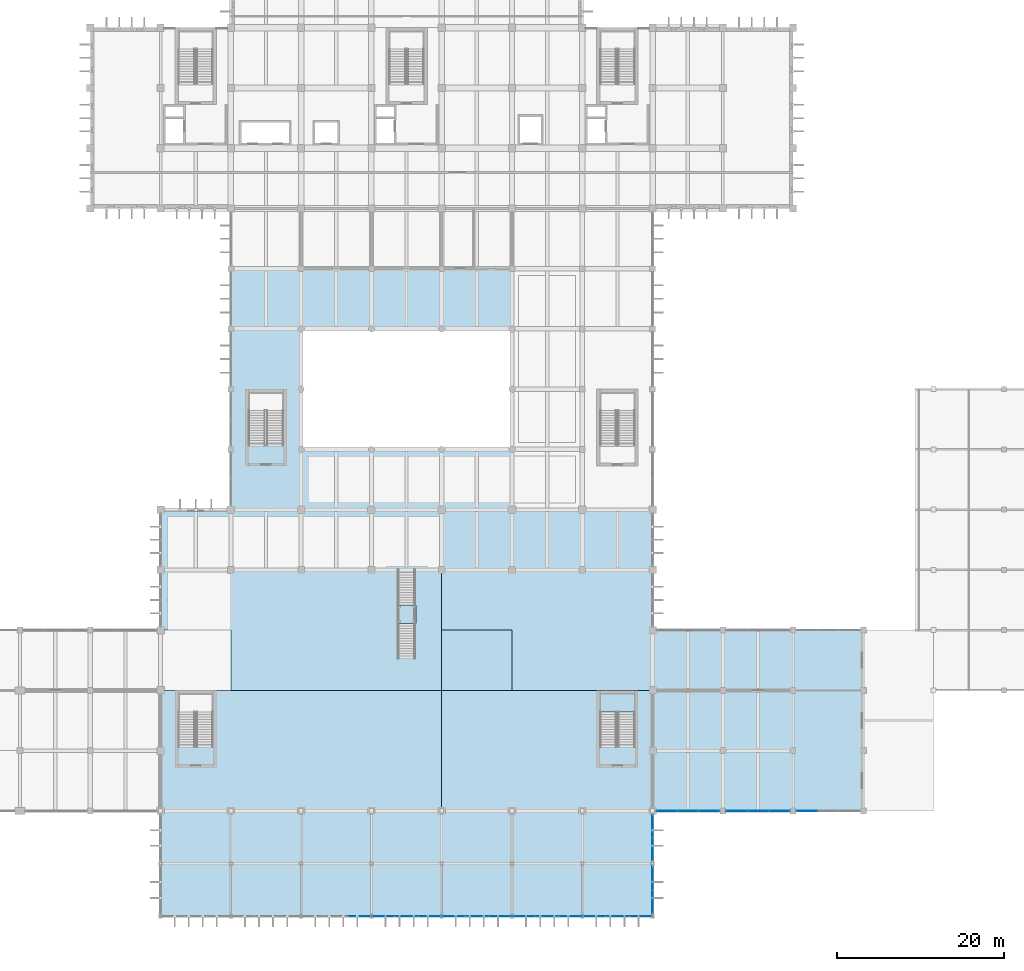
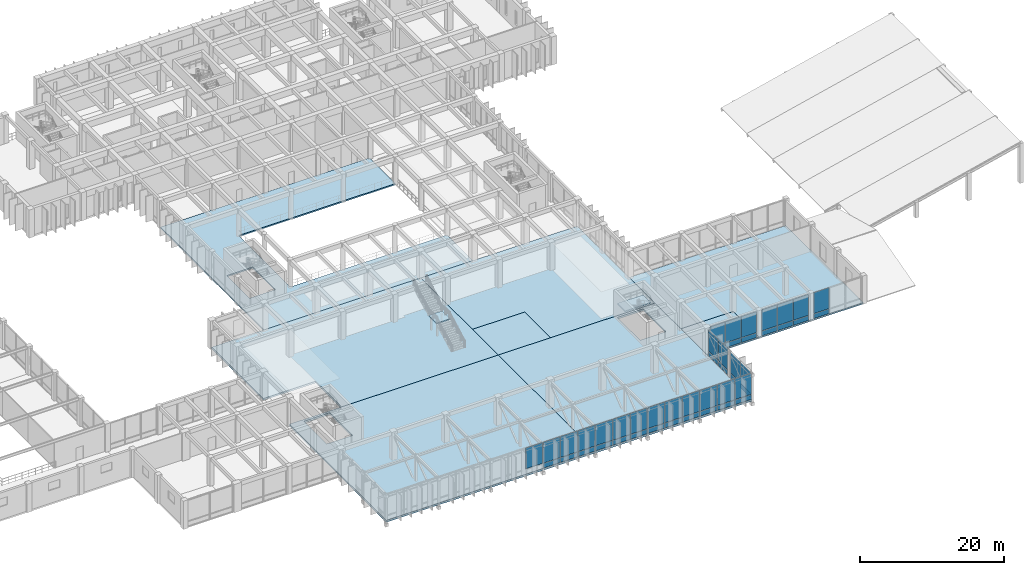
# One storey, part 28 of 51: 47 plates, 10 slabs, 12 elements without a shape of their own.
"""IFC4 building model written with IfcOpenShell, lengths in metres."""

from ifc_helpers import new_model, si_unit, direction, frame, origin, origin_2d, place, context, subcontext, project, spatial, polyline, rectangle, outline, extrude, material, layer, layer_set, type_object, element, aggregate, save


model = new_model("IFC4")

# Units and contexts
model_context = context("Model", 3, precision=1e-05, world=origin(), true_north=direction((0.0, 1.0)))
body_context = subcontext(model_context, "Body", "Model", "MODEL_VIEW")
ifc_project = project(units=[si_unit("LENGTHUNIT", "METRE"), si_unit("AREAUNIT", "SQUARE_METRE"), si_unit("VOLUMEUNIT", "CUBIC_METRE"), si_unit("PLANEANGLEUNIT", "RADIAN"), si_unit("MASSUNIT", "GRAM", prefix="KILO")], contexts=[model_context])

# Site, building, storey
site_placement = place(None, origin())
site = spatial("IfcSite", under=ifc_project, at=site_placement, CompositionType="ELEMENT")
building_placement = place(site_placement, origin())
building = spatial("IfcBuilding", under=site, at=building_placement, Name="Kenerak Square Central Library", CompositionType="ELEMENT")
storey_placement = place(building_placement, frame((0.0, 0.0, 9.60009765625)))
storey = spatial("IfcBuildingStorey", under=building, at=storey_placement, Name="L02", CompositionType="ELEMENT", Elevation=9.60009765625)

# Slabs
ifc_material_1 = material(Name="Concrete C40/50", Category="concrete")
ifc_layer_1 = layer(ifc_material_1, 0.300048828125)
ifc_layer_set_1 = layer_set([ifc_layer_1], Name="Concrete C40/50")
slab_type_1 = type_object("IfcSlabType", Name="Compact-Shelving Vault Slab FS-300 C40/50", PredefinedType="FLOOR", material=ifc_layer_set_1)
slab_1_placement = place(storey_placement, frame((0.0, 0.0, -0.300048828125)))
element("IfcSlab", 1, at=slab_1_placement, inside=storey, type_object=slab_type_1, Name="V1 Floor Slab L02 013", PredefinedType="FLOOR", context=body_context, shape_type="SweptSolid", body=[
    extrude(outline(polyline([(58.39990234375, 4.199951171875), (58.39990234375, 31.199951171875), (92.0, 31.199951171875), (92.0, 4.199951171875), (58.39990234375, 4.199951171875)]), holes=[polyline([(64.679931640625, 24.449951171875), (64.679931640625, 30.800048828125), (60.52001953125, 30.800048828125), (60.52001953125, 24.449951171875), (64.679931640625, 24.449951171875)])]), origin(), (0.0, 0.0, 1.0), 0.300048828125),
])
slab_2_placement = place(storey_placement, frame((0.0, 0.0, -0.300048828125)))
element("IfcSlab", 2, at=slab_2_placement, inside=storey, type_object=slab_type_1, Name="V1 Floor Slab L02 014", PredefinedType="FLOOR", context=body_context, shape_type="SweptSolid", body=[
    extrude(outline(polyline([(58.39990234375, 52.800048828125), (92.0, 52.800048828125), (92.0, 31.199951171875), (66.800048828125, 31.199951171875), (66.800048828125, 38.39990234375), (58.39990234375, 38.39990234375), (58.39990234375, 52.800048828125)])), origin(), (0.0, 0.0, 1.0), 0.300048828125),
])
slab_3_placement = place(storey_placement, frame((0.0, 0.0, -0.300048828125)))
element("IfcSlab", 3, at=slab_3_placement, inside=storey, type_object=slab_type_1, Name="V1 Floor Slab L02 016", PredefinedType="FLOOR", context=body_context, shape_type="SweptSolid", body=[
    extrude(outline(polyline([(92.0, 4.199951171875), (92.0, 31.199951171875), (117.199951171875, 31.199951171875), (117.199951171875, 4.199951171875), (92.0, 4.199951171875)]), holes=[polyline([(115.080078125, 24.449951171875), (115.080078125, 30.800048828125), (110.919921875, 30.800048828125), (110.919921875, 24.449951171875), (115.080078125, 24.449951171875)])]), origin(), (0.0, 0.0, 1.0), 0.300048828125),
])
slab_4_placement = place(storey_placement, frame((0.0, 0.0, -0.300048828125)))
element("IfcSlab", 4, at=slab_4_placement, inside=storey, type_object=slab_type_1, Name="V1 Floor Slab L02 017", PredefinedType="FLOOR", context=body_context, shape_type="SweptSolid", body=[
    extrude(outline(polyline([(92.0, 52.800048828125), (117.199951171875, 52.800048828125), (117.199951171875, 31.199951171875), (100.39990234375, 31.199951171875), (100.39990234375, 38.39990234375), (92.0, 38.39990234375), (92.0, 52.800048828125)])), origin(), (0.0, 0.0, 1.0), 0.300048828125),
])
slab_5_placement = place(storey_placement, frame((0.0, 0.0, -0.300048828125)))
element("IfcSlab", 5, at=slab_5_placement, inside=storey, type_object=slab_type_1, Name="V1 Floor Slab L02 018", PredefinedType="FLOOR", context=body_context, shape_type="SweptSolid", body=[
    extrude(outline(polyline([(100.39990234375, 31.199951171875), (100.39990234375, 38.39990234375), (92.0, 38.39990234375), (92.0, 31.199951171875), (100.39990234375, 31.199951171875)])), origin(), (0.0, 0.0, 1.0), 0.300048828125),
])
ifc_layer_2 = layer(ifc_material_1, 0.22509765625)
ifc_layer_set_2 = layer_set([ifc_layer_2], Name="Concrete C40/50")
slab_type_2 = type_object("IfcSlabType", Name="General Reading Room Slab FS-225 C40/50", PredefinedType="FLOOR", material=ifc_layer_set_2)
slab_6_placement = place(storey_placement, frame((0.0, 0.0, -0.22509765625)))
element("IfcSlab", 6, at=slab_6_placement, inside=storey, type_object=slab_type_2, Name="V4 Floor Slab L02 044", PredefinedType="FLOOR", context=body_context, shape_type="SweptSolid", body=[
    extrude(outline(polyline([(100.39990234375, 52.800048828125), (66.800048828125, 52.800048828125), (66.800048828125, 81.60009765625), (100.39990234375, 81.60009765625), (100.39990234375, 74.39990234375), (75.199951171875, 74.39990234375), (75.199951171875, 60.0), (100.39990234375, 60.0), (100.39990234375, 52.800048828125)]), holes=[polyline([(73.080078125, 60.449951171875), (73.080078125, 66.800048828125), (68.919921875, 66.800048828125), (68.919921875, 60.449951171875), (73.080078125, 60.449951171875)])]), origin(), (0.0, 0.0, 1.0), 0.22509765625),
])
slab_7_placement = place(storey_placement, frame((0.0, 0.0, -0.22509765625)))
element("IfcSlab", 7, at=slab_7_placement, inside=storey, type_object=slab_type_2, Name="V6 Floor Slab L02 107", PredefinedType="FLOOR", context=body_context, shape_type="SweptSolid", body=[
    extrude(outline(polyline([(117.199951171875, 38.39990234375), (142.39990234375, 38.39990234375), (142.39990234375, 16.800048828125), (125.60009765625, 16.800048828125), (125.60009765625, 24.0), (117.199951171875, 24.0), (117.199951171875, 38.39990234375)])), origin(), (0.0, 0.0, 1.0), 0.22509765625),
])
slab_8_placement = place(storey_placement, frame((0.0, 0.0, -0.22509765625)))
element("IfcSlab", 8, at=slab_8_placement, inside=storey, type_object=slab_type_2, Name="V6 Floor Slab L02 108", PredefinedType="FLOOR", context=body_context, shape_type="SweptSolid", body=[
    extrude(outline(polyline([(125.60009765625, 16.800048828125), (125.60009765625, 24.0), (117.199951171875, 24.0), (117.199951171875, 16.800048828125), (125.60009765625, 16.800048828125)])), origin(), (0.0, 0.0, 1.0), 0.22509765625),
])

# Curtain wall, plates
ifc_material_2 = material(Name="Anodised aluminium and solar-control low-E glazing", Category="aluminium")
curtain_wall_type_1 = type_object("IfcCurtainWallType", Name="Curtain Wall CW-V6-77x45 7700x4550", PredefinedType="USERDEFINED", material=ifc_material_2)
curtain_wall_1_placement = place(storey_placement, origin())
curtain_wall_1 = element("IfcCurtainWall", 9, at=curtain_wall_1_placement, inside=storey, type_object=curtain_wall_type_1, Name="Curtain Wall CW-V6-77x45 L02 0092", ObjectType="CURTAIN WALL", PredefinedType="USERDEFINED")
ifc_material_3 = material(Name="Solar-control low-E laminated double glazing", Category="glass")
ifc_layer_3 = layer(ifc_material_3, 0.02392578125)
ifc_layer_set_3 = layer_set([ifc_layer_3], Name="Solar-control low-E laminated double glazing")
plate_type_1 = type_object("IfcPlateType", Name="Low-E Double Glazed Curtain Panel CP-24", PredefinedType="CURTAIN_PANEL", material=ifc_layer_set_3)
plate_1_placement = place(storey_placement, frame((135.649658203125, 16.800048828125, 0.06494140625), z_axis=(0.0, 0.0, 1.0), x_axis=(-1.0, 0.0, 0.0)))
plate_1 = element("IfcPlate", 10, at=plate_1_placement, type_object=plate_type_1, Name="CW-V6-77x45 Panel 3.1", PredefinedType="CURTAIN_PANEL", context=body_context, shape_type="SweptSolid", body=[
    extrude(rectangle(XDim=2.46923828125, YDim=0.02392578125, at=origin_2d()), origin(), (0.0, 0.0, 1.0), 0.802490234375),
])
plate_2_placement = place(storey_placement, frame((135.649658203125, 16.800048828125, 0.9326171875), z_axis=(0.0, 0.0, 1.0), x_axis=(-1.0, 0.0, 0.0)))
plate_2 = element("IfcPlate", 11, at=plate_2_placement, type_object=plate_type_1, Name="CW-V6-77x45 Panel 3.2", PredefinedType="CURTAIN_PANEL", context=body_context, shape_type="SweptSolid", body=[
    extrude(rectangle(XDim=2.46923828125, YDim=0.02392578125, at=origin_2d()), origin(), (0.0, 0.0, 1.0), 3.552490234375),
])
aggregate(curtain_wall_1, [plate_1, plate_2])

curtain_wall_2_placement = place(storey_placement, origin())
curtain_wall_2 = element("IfcCurtainWall", 12, at=curtain_wall_2_placement, inside=storey, type_object=curtain_wall_type_1, Name="Curtain Wall CW-V6-77x45 L02 0093", ObjectType="CURTAIN WALL", PredefinedType="USERDEFINED")
plate_3_placement = place(storey_placement, frame((132.350341796875, 16.800048828125, 0.06494140625), z_axis=(0.0, 0.0, 1.0), x_axis=(-1.0, 0.0, 0.0)))
plate_3 = element("IfcPlate", 13, at=plate_3_placement, type_object=plate_type_1, Name="CW-V6-77x45 Panel 1.1", PredefinedType="CURTAIN_PANEL", context=body_context, shape_type="SweptSolid", body=[
    extrude(rectangle(XDim=2.46923828125, YDim=0.02392578125, at=origin_2d()), origin(), (0.0, 0.0, 1.0), 0.802490234375),
])
plate_4_placement = place(storey_placement, frame((132.350341796875, 16.800048828125, 0.9326171875), z_axis=(0.0, 0.0, 1.0), x_axis=(-1.0, 0.0, 0.0)))
plate_4 = element("IfcPlate", 14, at=plate_4_placement, type_object=plate_type_1, Name="CW-V6-77x45 Panel 1.2", PredefinedType="CURTAIN_PANEL", context=body_context, shape_type="SweptSolid", body=[
    extrude(rectangle(XDim=2.46923828125, YDim=0.02392578125, at=origin_2d()), origin(), (0.0, 0.0, 1.0), 3.552490234375),
])
plate_5_placement = place(storey_placement, frame((129.800048828125, 16.800048828125, 0.06494140625), z_axis=(0.0, 0.0, 1.0), x_axis=(-1.0, 0.0, 0.0)))
plate_5 = element("IfcPlate", 15, at=plate_5_placement, type_object=plate_type_1, Name="CW-V6-77x45 Panel 2.1", PredefinedType="CURTAIN_PANEL", context=body_context, shape_type="SweptSolid", body=[
    extrude(rectangle(XDim=2.501708984375, YDim=0.02392578125, at=origin_2d()), origin(), (0.0, 0.0, 1.0), 0.802490234375),
])
plate_6_placement = place(storey_placement, frame((129.800048828125, 16.800048828125, 0.9326171875), z_axis=(0.0, 0.0, 1.0), x_axis=(-1.0, 0.0, 0.0)))
plate_6 = element("IfcPlate", 16, at=plate_6_placement, type_object=plate_type_1, Name="CW-V6-77x45 Panel 2.2", PredefinedType="CURTAIN_PANEL", context=body_context, shape_type="SweptSolid", body=[
    extrude(rectangle(XDim=2.501708984375, YDim=0.02392578125, at=origin_2d()), origin(), (0.0, 0.0, 1.0), 3.552490234375),
])
plate_7_placement = place(storey_placement, frame((127.24951171875, 16.800048828125, 0.06494140625), z_axis=(0.0, 0.0, 1.0), x_axis=(-1.0, 0.0, 0.0)))
plate_7 = element("IfcPlate", 17, at=plate_7_placement, type_object=plate_type_1, Name="CW-V6-77x45 Panel 3.1", PredefinedType="CURTAIN_PANEL", context=body_context, shape_type="SweptSolid", body=[
    extrude(rectangle(XDim=2.46923828125, YDim=0.02392578125, at=origin_2d()), origin(), (0.0, 0.0, 1.0), 0.802490234375),
])
plate_8_placement = place(storey_placement, frame((127.24951171875, 16.800048828125, 0.9326171875), z_axis=(0.0, 0.0, 1.0), x_axis=(-1.0, 0.0, 0.0)))
plate_8 = element("IfcPlate", 18, at=plate_8_placement, type_object=plate_type_1, Name="CW-V6-77x45 Panel 3.2", PredefinedType="CURTAIN_PANEL", context=body_context, shape_type="SweptSolid", body=[
    extrude(rectangle(XDim=2.46923828125, YDim=0.02392578125, at=origin_2d()), origin(), (0.0, 0.0, 1.0), 3.552490234375),
])
aggregate(curtain_wall_2, [plate_3, plate_4, plate_5, plate_6, plate_7, plate_8])

curtain_wall_type_2 = type_object("IfcCurtainWallType", Name="Curtain Wall CW-V6-76x45 7600x4550", PredefinedType="USERDEFINED", material=ifc_material_2)
curtain_wall_3_placement = place(storey_placement, origin())
curtain_wall_3 = element("IfcCurtainWall", 19, at=curtain_wall_3_placement, inside=storey, type_object=curtain_wall_type_2, Name="Curtain Wall CW-V6-76x45 L02 0094", ObjectType="CURTAIN WALL", PredefinedType="USERDEFINED")
plate_9_placement = place(storey_placement, frame((123.967041015625, 16.800048828125, 0.06494140625), z_axis=(0.0, 0.0, 1.0), x_axis=(-1.0, 0.0, 0.0)))
plate_9 = element("IfcPlate", 20, at=plate_9_placement, type_object=plate_type_1, Name="CW-V6-76x45 Panel 1.1", PredefinedType="CURTAIN_PANEL", context=body_context, shape_type="SweptSolid", body=[
    extrude(rectangle(XDim=2.435791015625, YDim=0.02392578125, at=origin_2d()), origin(), (0.0, 0.0, 1.0), 0.802490234375),
])
plate_10_placement = place(storey_placement, frame((123.967041015625, 16.800048828125, 0.9326171875), z_axis=(0.0, 0.0, 1.0), x_axis=(-1.0, 0.0, 0.0)))
plate_10 = element("IfcPlate", 21, at=plate_10_placement, type_object=plate_type_1, Name="CW-V6-76x45 Panel 1.2", PredefinedType="CURTAIN_PANEL", context=body_context, shape_type="SweptSolid", body=[
    extrude(rectangle(XDim=2.435791015625, YDim=0.02392578125, at=origin_2d()), origin(), (0.0, 0.0, 1.0), 3.552490234375),
])
plate_11_placement = place(storey_placement, frame((121.449951171875, 16.800048828125, 0.06494140625), z_axis=(0.0, 0.0, 1.0), x_axis=(-1.0, 0.0, 0.0)))
plate_11 = element("IfcPlate", 22, at=plate_11_placement, type_object=plate_type_1, Name="CW-V6-76x45 Panel 2.1", PredefinedType="CURTAIN_PANEL", context=body_context, shape_type="SweptSolid", body=[
    extrude(rectangle(XDim=2.46826171875, YDim=0.02392578125, at=origin_2d()), origin(), (0.0, 0.0, 1.0), 0.802490234375),
])
plate_12_placement = place(storey_placement, frame((121.449951171875, 16.800048828125, 0.9326171875), z_axis=(0.0, 0.0, 1.0), x_axis=(-1.0, 0.0, 0.0)))
plate_12 = element("IfcPlate", 23, at=plate_12_placement, type_object=plate_type_1, Name="CW-V6-76x45 Panel 2.2", PredefinedType="CURTAIN_PANEL", context=body_context, shape_type="SweptSolid", body=[
    extrude(rectangle(XDim=2.46826171875, YDim=0.02392578125, at=origin_2d()), origin(), (0.0, 0.0, 1.0), 3.552490234375),
])
plate_13_placement = place(storey_placement, frame((118.932861328125, 16.800048828125, 0.06494140625), z_axis=(0.0, 0.0, 1.0), x_axis=(-1.0, 0.0, 0.0)))
plate_13 = element("IfcPlate", 24, at=plate_13_placement, type_object=plate_type_1, Name="CW-V6-76x45 Panel 3.1", PredefinedType="CURTAIN_PANEL", context=body_context, shape_type="SweptSolid", body=[
    extrude(rectangle(XDim=2.435791015625, YDim=0.02392578125, at=origin_2d()), origin(), (0.0, 0.0, 1.0), 0.802490234375),
])
plate_14_placement = place(storey_placement, frame((118.932861328125, 16.800048828125, 0.9326171875), z_axis=(0.0, 0.0, 1.0), x_axis=(-1.0, 0.0, 0.0)))
plate_14 = element("IfcPlate", 25, at=plate_14_placement, type_object=plate_type_1, Name="CW-V6-76x45 Panel 3.2", PredefinedType="CURTAIN_PANEL", context=body_context, shape_type="SweptSolid", body=[
    extrude(rectangle(XDim=2.435791015625, YDim=0.02392578125, at=origin_2d()), origin(), (0.0, 0.0, 1.0), 3.552490234375),
])
aggregate(curtain_wall_3, [plate_9, plate_10, plate_11, plate_12, plate_13, plate_14])

# Stair, slab
stair_type_1 = type_object("IfcStairType", Name="Exit Dogleg Stair ST-480 C40/50", PredefinedType="HALF_TURN_STAIR", material=ifc_material_1)
stair_1_placement = place(storey_placement, origin())
stair_1 = element("IfcStair", 26, at=stair_1_placement, inside=storey, type_object=stair_type_1, Name="L02 Protected Exit Stair ST-05", PredefinedType="HALF_TURN_STAIR")
ifc_layer_4 = layer(ifc_material_1, 0.199951171875)
ifc_layer_set_4 = layer_set([ifc_layer_4], Name="Concrete C40/50")
slab_type_3 = type_object("IfcSlabType", Name="Stair Half-Landing Slab LD-200 C40/50", PredefinedType="LANDING", material=ifc_layer_set_4)
slab_9_placement = place(storey_placement, frame((0.0, 0.0, 2.199951171875)))
slab_9 = element("IfcSlab", 27, at=slab_9_placement, type_object=slab_type_3, Name="ST-05 Landing 1", PredefinedType="LANDING", context=body_context, shape_type="SweptSolid", body=[
    extrude(outline(polyline([(115.080078125, 28.64990234375), (115.080078125, 30.800048828125), (110.919921875, 30.800048828125), (110.919921875, 28.64990234375), (115.080078125, 28.64990234375)])), origin(), (0.0, 0.0, 1.0), 0.199951171875),
])
aggregate(stair_1, [slab_9])

ifc_material_4 = material(Name="Steel S355", Category="steel")
stair_type_2 = type_object("IfcStairType", Name="Feature Atrium Stair ST-FEAT S355", PredefinedType="STRAIGHT_RUN_STAIR", material=ifc_material_4)
stair_2_placement = place(storey_placement, origin())
stair_2 = element("IfcStair", 28, at=stair_2_placement, inside=storey, type_object=stair_type_2, Name="Feature Open Stair ST-F2", PredefinedType="STRAIGHT_RUN_STAIR")
slab_10_placement = place(storey_placement, frame((0.0, 0.0, 2.199951171875)))
slab_10 = element("IfcSlab", 29, at=slab_10_placement, type_object=slab_type_3, Name="ST-F2 Landing 1", PredefinedType="LANDING", context=body_context, shape_type="SweptSolid", body=[
    extrude(outline(polyline([(86.699951171875, 39.199951171875), (88.89990234375, 39.199951171875), (88.89990234375, 41.39990234375), (86.699951171875, 41.39990234375), (86.699951171875, 39.199951171875)])), origin(), (0.0, 0.0, 1.0), 0.199951171875),
])
aggregate(stair_2, [slab_10])

# Curtain wall, plates
curtain_wall_type_3 = type_object("IfcCurtainWallType", Name="Curtain Wall CW-V1-55x45 5550x4550", PredefinedType="USERDEFINED", material=ifc_material_2)
curtain_wall_4_placement = place(storey_placement, origin())
curtain_wall_4 = element("IfcCurtainWall", 30, at=curtain_wall_4_placement, inside=storey, type_object=curtain_wall_type_3, Name="Curtain Wall CW-V1-55x45 L02 0095", ObjectType="CURTAIN WALL", PredefinedType="USERDEFINED")
ifc_material_5 = material(Name="Triple-laminated solar-control low-E glazing", Category="glass")
ifc_layer_5 = layer(ifc_material_5, 0.031982421875)
ifc_layer_set_5 = layer_set([ifc_layer_5], Name="Triple-laminated solar-control low-E glazing")
plate_type_2 = type_object("IfcPlateType", Name="Triple-Laminated Reading Hall Panel CP-32", PredefinedType="CURTAIN_PANEL", material=ifc_layer_set_5)
plate_15_placement = place(storey_placement, frame((117.199951171875, 14.94384765625, 0.074951171875), z_axis=(0.0, 0.0, 1.0), x_axis=(0.0, -1.0, 0.0)))
plate_15 = element("IfcPlate", 31, at=plate_15_placement, type_object=plate_type_2, Name="CW-V1-55x45 Panel 1.1", PredefinedType="CURTAIN_PANEL", context=body_context, shape_type="SweptSolid", body=[
    extrude(rectangle(XDim=2.66259765625, YDim=0.031982421875, at=origin_2d()), origin(), (0.0, 0.0, 1.0), 0.78759765625),
])
plate_16_placement = place(storey_placement, frame((117.199951171875, 14.94384765625, 0.937255859375), z_axis=(0.0, 0.0, 1.0), x_axis=(0.0, -1.0, 0.0)))
plate_16 = element("IfcPlate", 32, at=plate_16_placement, type_object=plate_type_2, Name="CW-V1-55x45 Panel 1.2", PredefinedType="CURTAIN_PANEL", context=body_context, shape_type="SweptSolid", body=[
    extrude(rectangle(XDim=2.66259765625, YDim=0.031982421875, at=origin_2d()), origin(), (0.0, 0.0, 1.0), 3.53759765625),
])
plate_17_placement = place(storey_placement, frame((117.199951171875, 12.206298828125, 0.074951171875), z_axis=(0.0, 0.0, 1.0), x_axis=(0.0, -1.0, 0.0)))
plate_17 = element("IfcPlate", 33, at=plate_17_placement, type_object=plate_type_2, Name="CW-V1-55x45 Panel 2.1", PredefinedType="CURTAIN_PANEL", context=body_context, shape_type="SweptSolid", body=[
    extrude(rectangle(XDim=2.66259765625, YDim=0.031982421875, at=origin_2d()), origin(), (0.0, 0.0, 1.0), 0.78759765625),
])
plate_18_placement = place(storey_placement, frame((117.199951171875, 12.206298828125, 0.937255859375), z_axis=(0.0, 0.0, 1.0), x_axis=(0.0, -1.0, 0.0)))
plate_18 = element("IfcPlate", 34, at=plate_18_placement, type_object=plate_type_2, Name="CW-V1-55x45 Panel 2.2", PredefinedType="CURTAIN_PANEL", context=body_context, shape_type="SweptSolid", body=[
    extrude(rectangle(XDim=2.66259765625, YDim=0.031982421875, at=origin_2d()), origin(), (0.0, 0.0, 1.0), 3.53759765625),
])
aggregate(curtain_wall_4, [plate_15, plate_16, plate_17, plate_18])

curtain_wall_type_4 = type_object("IfcCurtainWallType", Name="Curtain Wall CW-V1-57x45 5700x4550", PredefinedType="USERDEFINED", material=ifc_material_2)
curtain_wall_5_placement = place(storey_placement, origin())
curtain_wall_5 = element("IfcCurtainWall", 35, at=curtain_wall_5_placement, inside=storey, type_object=curtain_wall_type_4, Name="Curtain Wall CW-V1-57x45 L02 0096", ObjectType="CURTAIN WALL", PredefinedType="USERDEFINED")
plate_19_placement = place(storey_placement, frame((117.199951171875, 8.75634765625, 0.074951171875), z_axis=(0.0, 0.0, 1.0), x_axis=(0.0, -1.0, 0.0)))
plate_19 = element("IfcPlate", 36, at=plate_19_placement, type_object=plate_type_2, Name="CW-V1-57x45 Panel 1.1", PredefinedType="CURTAIN_PANEL", context=body_context, shape_type="SweptSolid", body=[
    extrude(rectangle(XDim=2.737548828125, YDim=0.031982421875, at=origin_2d()), origin(), (0.0, 0.0, 1.0), 0.78759765625),
])
plate_20_placement = place(storey_placement, frame((117.199951171875, 8.75634765625, 0.937255859375), z_axis=(0.0, 0.0, 1.0), x_axis=(0.0, -1.0, 0.0)))
plate_20 = element("IfcPlate", 37, at=plate_20_placement, type_object=plate_type_2, Name="CW-V1-57x45 Panel 1.2", PredefinedType="CURTAIN_PANEL", context=body_context, shape_type="SweptSolid", body=[
    extrude(rectangle(XDim=2.737548828125, YDim=0.031982421875, at=origin_2d()), origin(), (0.0, 0.0, 1.0), 3.53759765625),
])
plate_21_placement = place(storey_placement, frame((117.199951171875, 5.94384765625, 0.074951171875), z_axis=(0.0, 0.0, 1.0), x_axis=(0.0, -1.0, 0.0)))
plate_21 = element("IfcPlate", 38, at=plate_21_placement, type_object=plate_type_2, Name="CW-V1-57x45 Panel 2.1", PredefinedType="CURTAIN_PANEL", context=body_context, shape_type="SweptSolid", body=[
    extrude(rectangle(XDim=2.737548828125, YDim=0.031982421875, at=origin_2d()), origin(), (0.0, 0.0, 1.0), 0.78759765625),
])
plate_22_placement = place(storey_placement, frame((117.199951171875, 5.94384765625, 0.937255859375), z_axis=(0.0, 0.0, 1.0), x_axis=(0.0, -1.0, 0.0)))
plate_22 = element("IfcPlate", 39, at=plate_22_placement, type_object=plate_type_2, Name="CW-V1-57x45 Panel 2.2", PredefinedType="CURTAIN_PANEL", context=body_context, shape_type="SweptSolid", body=[
    extrude(rectangle(XDim=2.737548828125, YDim=0.031982421875, at=origin_2d()), origin(), (0.0, 0.0, 1.0), 3.53759765625),
])
aggregate(curtain_wall_5, [plate_19, plate_20, plate_21, plate_22])

curtain_wall_type_5 = type_object("IfcCurtainWallType", Name="Curtain Wall CW-V1-84x45 8400x4550", PredefinedType="USERDEFINED", material=ifc_material_2)
curtain_wall_6_placement = place(storey_placement, origin())
curtain_wall_6 = element("IfcCurtainWall", 40, at=curtain_wall_6_placement, inside=storey, type_object=curtain_wall_type_5, Name="Curtain Wall CW-V1-84x45 L02 0097", ObjectType="CURTAIN WALL", PredefinedType="USERDEFINED")
plate_23_placement = place(storey_placement, frame((115.78125, 4.199951171875, 0.074951171875), z_axis=(0.0, 0.0, 1.0), x_axis=(-1.0, 0.0, 0.0)))
plate_23 = element("IfcPlate", 41, at=plate_23_placement, type_object=plate_type_2, Name="CW-V1-84x45 Panel 1.1", PredefinedType="CURTAIN_PANEL", context=body_context, shape_type="SweptSolid", body=[
    extrude(rectangle(XDim=2.6875, YDim=0.031982421875, at=origin_2d()), origin(), (0.0, 0.0, 1.0), 0.78759765625),
])
plate_24_placement = place(storey_placement, frame((115.78125, 4.199951171875, 0.937255859375), z_axis=(0.0, 0.0, 1.0), x_axis=(-1.0, 0.0, 0.0)))
plate_24 = element("IfcPlate", 42, at=plate_24_placement, type_object=plate_type_2, Name="CW-V1-84x45 Panel 1.2", PredefinedType="CURTAIN_PANEL", context=body_context, shape_type="SweptSolid", body=[
    extrude(rectangle(XDim=2.6875, YDim=0.031982421875, at=origin_2d()), origin(), (0.0, 0.0, 1.0), 3.53759765625),
])
plate_25_placement = place(storey_placement, frame((113.0, 4.199951171875, 0.074951171875), z_axis=(0.0, 0.0, 1.0), x_axis=(-1.0, 0.0, 0.0)))
plate_25 = element("IfcPlate", 43, at=plate_25_placement, type_object=plate_type_2, Name="CW-V1-84x45 Panel 2.1", PredefinedType="CURTAIN_PANEL", context=body_context, shape_type="SweptSolid", body=[
    extrude(rectangle(XDim=2.72509765625, YDim=0.031982421875, at=origin_2d()), origin(), (0.0, 0.0, 1.0), 0.78759765625),
])
plate_26_placement = place(storey_placement, frame((113.0, 4.199951171875, 0.937255859375), z_axis=(0.0, 0.0, 1.0), x_axis=(-1.0, 0.0, 0.0)))
plate_26 = element("IfcPlate", 44, at=plate_26_placement, type_object=plate_type_2, Name="CW-V1-84x45 Panel 2.2", PredefinedType="CURTAIN_PANEL", context=body_context, shape_type="SweptSolid", body=[
    extrude(rectangle(XDim=2.72509765625, YDim=0.031982421875, at=origin_2d()), origin(), (0.0, 0.0, 1.0), 3.53759765625),
])
plate_27_placement = place(storey_placement, frame((110.21875, 4.199951171875, 0.074951171875), z_axis=(0.0, 0.0, 1.0), x_axis=(-1.0, 0.0, 0.0)))
plate_27 = element("IfcPlate", 45, at=plate_27_placement, type_object=plate_type_2, Name="CW-V1-84x45 Panel 3.1", PredefinedType="CURTAIN_PANEL", context=body_context, shape_type="SweptSolid", body=[
    extrude(rectangle(XDim=2.6875, YDim=0.031982421875, at=origin_2d()), origin(), (0.0, 0.0, 1.0), 0.78759765625),
])
plate_28_placement = place(storey_placement, frame((110.21875, 4.199951171875, 0.937255859375), z_axis=(0.0, 0.0, 1.0), x_axis=(-1.0, 0.0, 0.0)))
plate_28 = element("IfcPlate", 46, at=plate_28_placement, type_object=plate_type_2, Name="CW-V1-84x45 Panel 3.2", PredefinedType="CURTAIN_PANEL", context=body_context, shape_type="SweptSolid", body=[
    extrude(rectangle(XDim=2.6875, YDim=0.031982421875, at=origin_2d()), origin(), (0.0, 0.0, 1.0), 3.53759765625),
])
aggregate(curtain_wall_6, [plate_23, plate_24, plate_25, plate_26, plate_27, plate_28])

curtain_wall_7_placement = place(storey_placement, origin())
curtain_wall_7 = element("IfcCurtainWall", 47, at=curtain_wall_7_placement, inside=storey, type_object=curtain_wall_type_5, Name="Curtain Wall CW-V1-84x45 L02 0098", ObjectType="CURTAIN WALL", PredefinedType="USERDEFINED")
plate_29_placement = place(storey_placement, frame((107.38134765625, 4.199951171875, 0.074951171875), z_axis=(0.0, 0.0, 1.0), x_axis=(-1.0, 0.0, 0.0)))
plate_29 = element("IfcPlate", 48, at=plate_29_placement, type_object=plate_type_2, Name="CW-V1-84x45 Panel 1.1", PredefinedType="CURTAIN_PANEL", context=body_context, shape_type="SweptSolid", body=[
    extrude(rectangle(XDim=2.6875, YDim=0.031982421875, at=origin_2d()), origin(), (0.0, 0.0, 1.0), 0.78759765625),
])
plate_30_placement = place(storey_placement, frame((107.38134765625, 4.199951171875, 0.937255859375), z_axis=(0.0, 0.0, 1.0), x_axis=(-1.0, 0.0, 0.0)))
plate_30 = element("IfcPlate", 49, at=plate_30_placement, type_object=plate_type_2, Name="CW-V1-84x45 Panel 1.2", PredefinedType="CURTAIN_PANEL", context=body_context, shape_type="SweptSolid", body=[
    extrude(rectangle(XDim=2.6875, YDim=0.031982421875, at=origin_2d()), origin(), (0.0, 0.0, 1.0), 3.53759765625),
])
plate_31_placement = place(storey_placement, frame((104.60009765625, 4.199951171875, 0.074951171875), z_axis=(0.0, 0.0, 1.0), x_axis=(-1.0, 0.0, 0.0)))
plate_31 = element("IfcPlate", 50, at=plate_31_placement, type_object=plate_type_2, Name="CW-V1-84x45 Panel 2.1", PredefinedType="CURTAIN_PANEL", context=body_context, shape_type="SweptSolid", body=[
    extrude(rectangle(XDim=2.72509765625, YDim=0.031982421875, at=origin_2d()), origin(), (0.0, 0.0, 1.0), 0.78759765625),
])
plate_32_placement = place(storey_placement, frame((104.60009765625, 4.199951171875, 0.937255859375), z_axis=(0.0, 0.0, 1.0), x_axis=(-1.0, 0.0, 0.0)))
plate_32 = element("IfcPlate", 51, at=plate_32_placement, type_object=plate_type_2, Name="CW-V1-84x45 Panel 2.2", PredefinedType="CURTAIN_PANEL", context=body_context, shape_type="SweptSolid", body=[
    extrude(rectangle(XDim=2.72509765625, YDim=0.031982421875, at=origin_2d()), origin(), (0.0, 0.0, 1.0), 3.53759765625),
])
plate_33_placement = place(storey_placement, frame((101.81884765625, 4.199951171875, 0.074951171875), z_axis=(0.0, 0.0, 1.0), x_axis=(-1.0, 0.0, 0.0)))
plate_33 = element("IfcPlate", 52, at=plate_33_placement, type_object=plate_type_2, Name="CW-V1-84x45 Panel 3.1", PredefinedType="CURTAIN_PANEL", context=body_context, shape_type="SweptSolid", body=[
    extrude(rectangle(XDim=2.6875, YDim=0.031982421875, at=origin_2d()), origin(), (0.0, 0.0, 1.0), 0.78759765625),
])
plate_34_placement = place(storey_placement, frame((101.81884765625, 4.199951171875, 0.937255859375), z_axis=(0.0, 0.0, 1.0), x_axis=(-1.0, 0.0, 0.0)))
plate_34 = element("IfcPlate", 53, at=plate_34_placement, type_object=plate_type_2, Name="CW-V1-84x45 Panel 3.2", PredefinedType="CURTAIN_PANEL", context=body_context, shape_type="SweptSolid", body=[
    extrude(rectangle(XDim=2.6875, YDim=0.031982421875, at=origin_2d()), origin(), (0.0, 0.0, 1.0), 3.53759765625),
])
aggregate(curtain_wall_7, [plate_29, plate_30, plate_31, plate_32, plate_33, plate_34])

curtain_wall_8_placement = place(storey_placement, origin())
curtain_wall_8 = element("IfcCurtainWall", 54, at=curtain_wall_8_placement, inside=storey, type_object=curtain_wall_type_5, Name="Curtain Wall CW-V1-84x45 L02 0099", ObjectType="CURTAIN WALL", PredefinedType="USERDEFINED")
plate_35_placement = place(storey_placement, frame((98.981201171875, 4.199951171875, 0.074951171875), z_axis=(0.0, 0.0, 1.0), x_axis=(-1.0, 0.0, 0.0)))
plate_35 = element("IfcPlate", 55, at=plate_35_placement, type_object=plate_type_2, Name="CW-V1-84x45 Panel 1.1", PredefinedType="CURTAIN_PANEL", context=body_context, shape_type="SweptSolid", body=[
    extrude(rectangle(XDim=2.6875, YDim=0.031982421875, at=origin_2d()), origin(), (0.0, 0.0, 1.0), 0.78759765625),
])
plate_36_placement = place(storey_placement, frame((98.981201171875, 4.199951171875, 0.937255859375), z_axis=(0.0, 0.0, 1.0), x_axis=(-1.0, 0.0, 0.0)))
plate_36 = element("IfcPlate", 56, at=plate_36_placement, type_object=plate_type_2, Name="CW-V1-84x45 Panel 1.2", PredefinedType="CURTAIN_PANEL", context=body_context, shape_type="SweptSolid", body=[
    extrude(rectangle(XDim=2.6875, YDim=0.031982421875, at=origin_2d()), origin(), (0.0, 0.0, 1.0), 3.53759765625),
])
plate_37_placement = place(storey_placement, frame((96.199951171875, 4.199951171875, 0.074951171875), z_axis=(0.0, 0.0, 1.0), x_axis=(-1.0, 0.0, 0.0)))
plate_37 = element("IfcPlate", 57, at=plate_37_placement, type_object=plate_type_2, Name="CW-V1-84x45 Panel 2.1", PredefinedType="CURTAIN_PANEL", context=body_context, shape_type="SweptSolid", body=[
    extrude(rectangle(XDim=2.72509765625, YDim=0.031982421875, at=origin_2d()), origin(), (0.0, 0.0, 1.0), 0.78759765625),
])
plate_38_placement = place(storey_placement, frame((96.199951171875, 4.199951171875, 0.937255859375), z_axis=(0.0, 0.0, 1.0), x_axis=(-1.0, 0.0, 0.0)))
plate_38 = element("IfcPlate", 58, at=plate_38_placement, type_object=plate_type_2, Name="CW-V1-84x45 Panel 2.2", PredefinedType="CURTAIN_PANEL", context=body_context, shape_type="SweptSolid", body=[
    extrude(rectangle(XDim=2.72509765625, YDim=0.031982421875, at=origin_2d()), origin(), (0.0, 0.0, 1.0), 3.53759765625),
])
plate_39_placement = place(storey_placement, frame((93.418701171875, 4.199951171875, 0.074951171875), z_axis=(0.0, 0.0, 1.0), x_axis=(-1.0, 0.0, 0.0)))
plate_39 = element("IfcPlate", 59, at=plate_39_placement, type_object=plate_type_2, Name="CW-V1-84x45 Panel 3.1", PredefinedType="CURTAIN_PANEL", context=body_context, shape_type="SweptSolid", body=[
    extrude(rectangle(XDim=2.6875, YDim=0.031982421875, at=origin_2d()), origin(), (0.0, 0.0, 1.0), 0.78759765625),
])
plate_40_placement = place(storey_placement, frame((93.418701171875, 4.199951171875, 0.937255859375), z_axis=(0.0, 0.0, 1.0), x_axis=(-1.0, 0.0, 0.0)))
plate_40 = element("IfcPlate", 60, at=plate_40_placement, type_object=plate_type_2, Name="CW-V1-84x45 Panel 3.2", PredefinedType="CURTAIN_PANEL", context=body_context, shape_type="SweptSolid", body=[
    extrude(rectangle(XDim=2.6875, YDim=0.031982421875, at=origin_2d()), origin(), (0.0, 0.0, 1.0), 3.53759765625),
])
aggregate(curtain_wall_8, [plate_35, plate_36, plate_37, plate_38, plate_39, plate_40])

curtain_wall_9_placement = place(storey_placement, origin())
curtain_wall_9 = element("IfcCurtainWall", 61, at=curtain_wall_9_placement, inside=storey, type_object=curtain_wall_type_5, Name="Curtain Wall CW-V1-84x45 L02 0100", ObjectType="CURTAIN WALL", PredefinedType="USERDEFINED")
plate_41_placement = place(storey_placement, frame((90.581298828125, 4.199951171875, 0.074951171875), z_axis=(0.0, 0.0, 1.0), x_axis=(-1.0, 0.0, 0.0)))
plate_41 = element("IfcPlate", 62, at=plate_41_placement, type_object=plate_type_2, Name="CW-V1-84x45 Panel 1.1", PredefinedType="CURTAIN_PANEL", context=body_context, shape_type="SweptSolid", body=[
    extrude(rectangle(XDim=2.6875, YDim=0.031982421875, at=origin_2d()), origin(), (0.0, 0.0, 1.0), 0.78759765625),
])
plate_42_placement = place(storey_placement, frame((90.581298828125, 4.199951171875, 0.937255859375), z_axis=(0.0, 0.0, 1.0), x_axis=(-1.0, 0.0, 0.0)))
plate_42 = element("IfcPlate", 63, at=plate_42_placement, type_object=plate_type_2, Name="CW-V1-84x45 Panel 1.2", PredefinedType="CURTAIN_PANEL", context=body_context, shape_type="SweptSolid", body=[
    extrude(rectangle(XDim=2.6875, YDim=0.031982421875, at=origin_2d()), origin(), (0.0, 0.0, 1.0), 3.53759765625),
])
plate_43_placement = place(storey_placement, frame((87.800048828125, 4.199951171875, 0.074951171875), z_axis=(0.0, 0.0, 1.0), x_axis=(-1.0, 0.0, 0.0)))
plate_43 = element("IfcPlate", 64, at=plate_43_placement, type_object=plate_type_2, Name="CW-V1-84x45 Panel 2.1", PredefinedType="CURTAIN_PANEL", context=body_context, shape_type="SweptSolid", body=[
    extrude(rectangle(XDim=2.72509765625, YDim=0.031982421875, at=origin_2d()), origin(), (0.0, 0.0, 1.0), 0.78759765625),
])
plate_44_placement = place(storey_placement, frame((87.800048828125, 4.199951171875, 0.937255859375), z_axis=(0.0, 0.0, 1.0), x_axis=(-1.0, 0.0, 0.0)))
plate_44 = element("IfcPlate", 65, at=plate_44_placement, type_object=plate_type_2, Name="CW-V1-84x45 Panel 2.2", PredefinedType="CURTAIN_PANEL", context=body_context, shape_type="SweptSolid", body=[
    extrude(rectangle(XDim=2.72509765625, YDim=0.031982421875, at=origin_2d()), origin(), (0.0, 0.0, 1.0), 3.53759765625),
])
plate_45_placement = place(storey_placement, frame((85.018798828125, 4.199951171875, 0.074951171875), z_axis=(0.0, 0.0, 1.0), x_axis=(-1.0, 0.0, 0.0)))
plate_45 = element("IfcPlate", 66, at=plate_45_placement, type_object=plate_type_2, Name="CW-V1-84x45 Panel 3.1", PredefinedType="CURTAIN_PANEL", context=body_context, shape_type="SweptSolid", body=[
    extrude(rectangle(XDim=2.6875, YDim=0.031982421875, at=origin_2d()), origin(), (0.0, 0.0, 1.0), 0.78759765625),
])
plate_46_placement = place(storey_placement, frame((85.018798828125, 4.199951171875, 0.937255859375), z_axis=(0.0, 0.0, 1.0), x_axis=(-1.0, 0.0, 0.0)))
plate_46 = element("IfcPlate", 67, at=plate_46_placement, type_object=plate_type_2, Name="CW-V1-84x45 Panel 3.2", PredefinedType="CURTAIN_PANEL", context=body_context, shape_type="SweptSolid", body=[
    extrude(rectangle(XDim=2.6875, YDim=0.031982421875, at=origin_2d()), origin(), (0.0, 0.0, 1.0), 3.53759765625),
])
aggregate(curtain_wall_9, [plate_41, plate_42, plate_43, plate_44, plate_45, plate_46])

# Curtain wall, plate
curtain_wall_10_placement = place(storey_placement, origin())
curtain_wall_10 = element("IfcCurtainWall", 68, at=curtain_wall_10_placement, inside=storey, type_object=curtain_wall_type_5, Name="Curtain Wall CW-V1-84x45 L02 0101", ObjectType="CURTAIN WALL", PredefinedType="USERDEFINED")
plate_47_placement = place(storey_placement, frame((82.18115234375, 4.199951171875, 0.937255859375), z_axis=(0.0, 0.0, 1.0), x_axis=(-1.0, 0.0, 0.0)))
plate_47 = element("IfcPlate", 69, at=plate_47_placement, type_object=plate_type_2, Name="CW-V1-84x45 Panel 1.2", PredefinedType="CURTAIN_PANEL", context=body_context, shape_type="SweptSolid", body=[
    extrude(rectangle(XDim=2.6875, YDim=0.031982421875, at=origin_2d()), origin(), (0.0, 0.0, 1.0), 3.53759765625),
])
aggregate(curtain_wall_10, [plate_47])

save(model, "model.ifc")
